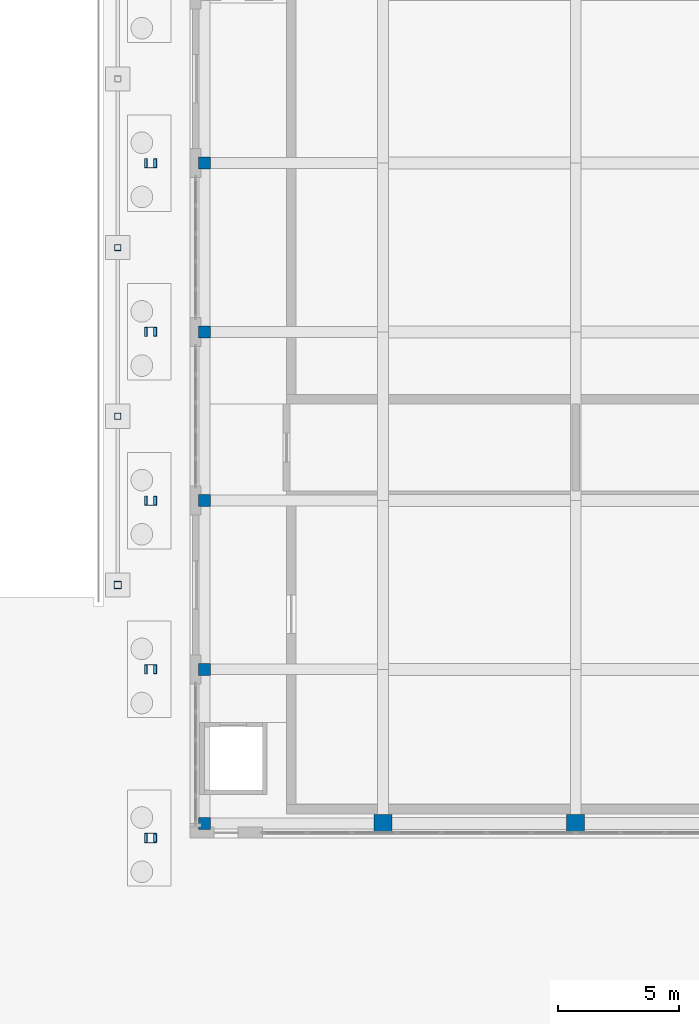
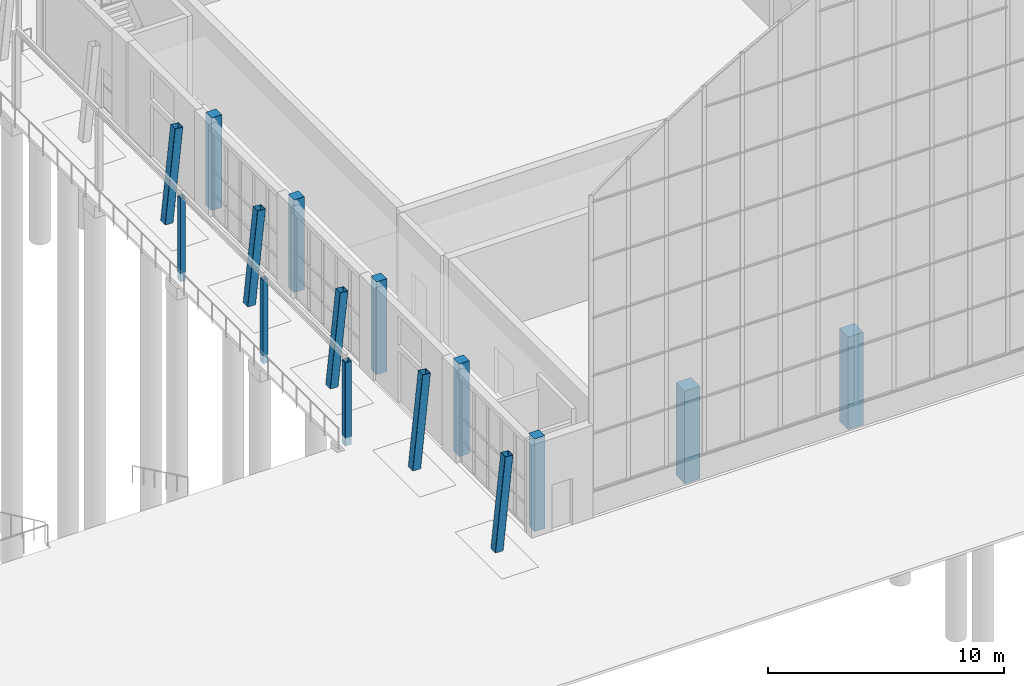
# One storey, part 13 of 144: 15 columns.
"""IFC4 building model written with IfcOpenShell, lengths in metres."""

from ifc_helpers import new_model, si_unit, direction, frame, origin, origin_2d, place, context, subcontext, project, spatial, rectangle, hollow_rectangle, extrude, material, material_profile, profile_set, type_object, element, save


model = new_model("IFC4")

# Units and contexts
model_context = context("Model", 3, precision=1e-05, world=origin(), true_north=direction((0.0, 1.0)))
body_context = subcontext(model_context, "Body", "Model", "MODEL_VIEW")
ifc_project = project(units=[si_unit("LENGTHUNIT", "METRE"), si_unit("AREAUNIT", "SQUARE_METRE"), si_unit("VOLUMEUNIT", "CUBIC_METRE"), si_unit("PLANEANGLEUNIT", "RADIAN"), si_unit("MASSUNIT", "GRAM", prefix="KILO")], contexts=[model_context])

# Site, building, storey
site_placement = place(None, origin())
site = spatial("IfcSite", under=ifc_project, at=site_placement, CompositionType="ELEMENT")
building_placement = place(site_placement, origin())
building = spatial("IfcBuilding", under=site, at=building_placement, Name="Lantern Court Media Centre", CompositionType="ELEMENT")
storey_placement = place(building_placement, origin())
storey = spatial("IfcBuildingStorey", under=building, at=storey_placement, Name="L00", CompositionType="ELEMENT", Elevation=0.0)

# Columns
ifc_material_1 = material(Name="Steel S355J2 (EN 10025-2)", Category="steel")
ifc_material_profile_1 = material_profile(ifc_material_1, hollow_rectangle(XDim=0.300048828125, YDim=0.300048828125, WallThickness=0.010009765625, InnerFilletRadius=0.010009765625, OuterFilletRadius=0.014892578125, at=origin_2d()), Name="Forecourt colonnade end post SHS 300x10")
ifc_profile_set_1 = profile_set([ifc_material_profile_1], Name="Steel S355J2 (EN 10025-2)")
column_type_1 = type_object("IfcColumnType", Name="Forecourt colonnade end post SHS 300x10", PredefinedType="COLUMN", material=ifc_profile_set_1)
column_1_placement = place(storey_placement, frame((69.0, 8.5, -0.419921875), z_axis=(0.0, 0.0, 1.0), x_axis=(1.0, 0.0, 0.0)))
element("IfcColumn", 1, at=column_1_placement, inside=storey, type_object=column_type_1, Name="Forecourt colonnade post V2 1", PredefinedType="COLUMN", context=body_context, shape_type="SweptSolid", body=[
    extrude(hollow_rectangle(XDim=0.300048828125, YDim=0.300048828125, WallThickness=0.010009765625, InnerFilletRadius=0.010009765625, OuterFilletRadius=0.014892578125, at=origin_2d()), origin(), (0.0, 0.0, 1.0), 4.31982421875),
])
ifc_material_profile_2 = material_profile(ifc_material_1, hollow_rectangle(XDim=0.25, YDim=0.25, WallThickness=0.010009765625, InnerFilletRadius=0.010009765625, OuterFilletRadius=0.014892578125, at=origin_2d()), Name="Forecourt colonnade post SHS 250x10")
ifc_profile_set_2 = profile_set([ifc_material_profile_2], Name="Steel S355J2 (EN 10025-2)")
column_type_2 = type_object("IfcColumnType", Name="Forecourt colonnade post SHS 250x10", PredefinedType="COLUMN", material=ifc_profile_set_2)
for number, where, z_axis, x_axis, name in (
    (2, (69.0, 15.5, -0.419921875), (0.0, 0.0, 1.0), (1.0, 0.0, 0.0), "Forecourt colonnade post V2 2"),
    (3, (69.0, 22.5, -0.419921875), (0.0, 0.0, 1.0), (1.0, 0.0, 0.0), "Forecourt colonnade post V2 3"),
):
    element("IfcColumn", number, at=place(storey_placement, frame(where, z_axis=z_axis, x_axis=x_axis)), inside=storey, type_object=column_type_2, Name=name, PredefinedType="COLUMN", context=body_context, shape_type="SweptSolid", body=[
        extrude(hollow_rectangle(XDim=0.25, YDim=0.25, WallThickness=0.010009765625, InnerFilletRadius=0.010009765625, OuterFilletRadius=0.014892578125, at=origin_2d()), origin(), (0.0, 0.0, 1.0), 4.31982421875),
    ])
ifc_material_2 = material(Name="Concrete C35", Category="concrete")
ifc_material_profile_3 = material_profile(ifc_material_2, rectangle(XDim=0.5, YDim=0.5, at=origin_2d()), Name="RC 500x500")
ifc_profile_set_3 = profile_set([ifc_material_profile_3], Name="Concrete C35")
column_type_3 = type_object("IfcColumnType", Name="RC COLUMN 500x500", PredefinedType="COLUMN", material=ifc_profile_set_3)
for number, where, z_axis, x_axis, name in (
    (4, (72.60009765625, -1.39990234375, 0.0), (0.0, 0.0, 1.0), (1.0, 0.0, 0.0), "C-V2-0-0-L00"),
    (5, (72.60009765625, 5.0, 0.0), (0.0, 0.0, 1.0), (1.0, 0.0, 0.0), "C-V2-0-1-L00"),
    (6, (72.60009765625, 12.0, 0.0), (0.0, 0.0, 1.0), (1.0, 0.0, 0.0), "C-V2-0-2-L00"),
    (7, (72.60009765625, 19.0, 0.0), (0.0, 0.0, 1.0), (1.0, 0.0, 0.0), "C-V2-0-3-L00"),
    (8, (72.60009765625, 26.0, 0.0), (0.0, 0.0, 1.0), (1.0, 0.0, 0.0), "C-V2-0-4-L00"),
):
    element("IfcColumn", number, at=place(storey_placement, frame(where, z_axis=z_axis, x_axis=x_axis)), inside=storey, type_object=column_type_3, Name=name, PredefinedType="COLUMN", context=body_context, shape_type="SweptSolid", body=[
        extrude(rectangle(XDim=0.5, YDim=0.5, at=origin_2d()), origin(), (0.0, 0.0, 1.0), 4.800048828125),
    ])
ifc_material_profile_4 = material_profile(ifc_material_2, rectangle(XDim=0.75, YDim=0.75, at=origin_2d()), Name="RC 750x750")
ifc_profile_set_4 = profile_set([ifc_material_profile_4], Name="Concrete C35")
column_type_4 = type_object("IfcColumnType", Name="RC COLUMN 750x750", PredefinedType="COLUMN", material=ifc_profile_set_4)
for number, where, z_axis, x_axis, name in (
    (9, (80.0, -1.39990234375, 0.0), (0.0, 0.0, 1.0), (1.0, 0.0, 0.0), "C-V2-1-0-L00"),
    (10, (88.0, -1.39990234375, 0.0), (0.0, 0.0, 1.0), (1.0, 0.0, 0.0), "C-V2-2-0-L00"),
):
    element("IfcColumn", number, at=place(storey_placement, frame(where, z_axis=z_axis, x_axis=x_axis)), inside=storey, type_object=column_type_4, Name=name, PredefinedType="COLUMN", context=body_context, shape_type="SweptSolid", body=[
        extrude(rectangle(XDim=0.75, YDim=0.75, at=origin_2d()), origin(), (0.0, 0.0, 1.0), 4.800048828125),
    ])
ifc_material_profile_5 = material_profile(ifc_material_1, hollow_rectangle(XDim=0.39990234375, YDim=0.39990234375, WallThickness=0.012451171875, InnerFilletRadius=0.012451171875, OuterFilletRadius=0.018798828125, at=origin_2d()), Name="Studio Hall buttress column SHS 400x12.5")
ifc_profile_set_5 = profile_set([ifc_material_profile_5], Name="Steel S355J2 (EN 10025-2)")
column_type_5 = type_object("IfcColumnType", Name="Studio Hall buttress column SHS 400x12.5", PredefinedType="COLUMN", material=ifc_profile_set_5)
for number, where, z_axis, x_axis, name in (
    (11, (70.300048828125, 5.0, 0.0), (0.100901453218, 0.0, 0.994896425131), (0.0, 1.0, 0.0), "Studio Hall buttress west 2"),
    (12, (70.300048828125, 12.0, 0.0), (0.100901453218, 0.0, 0.994896425131), (0.0, 1.0, 0.0), "Studio Hall buttress west 3"),
    (13, (70.300048828125, 19.0, 0.0), (0.100901453218, 0.0, 0.994896425131), (0.0, 1.0, 0.0), "Studio Hall buttress west 4"),
    (14, (70.300048828125, 26.0, 0.0), (0.100901453218, 0.0, 0.994896425131), (0.0, 1.0, 0.0), "Studio Hall buttress west 5"),
):
    element("IfcColumn", number, at=place(storey_placement, frame(where, z_axis=z_axis, x_axis=x_axis)), inside=storey, type_object=column_type_5, Name=name, PredefinedType="COLUMN", context=body_context, shape_type="SweptSolid", body=[
        extrude(hollow_rectangle(XDim=0.39990234375, YDim=0.39990234375, WallThickness=0.012451171875, InnerFilletRadius=0.012451171875, OuterFilletRadius=0.018798828125, at=origin_2d()), origin(), (0.0, 0.0, 1.0), 4.82470703125),
    ])
ifc_material_profile_6 = material_profile(ifc_material_1, hollow_rectangle(XDim=0.39990234375, YDim=0.39990234375, WallThickness=0.01611328125, InnerFilletRadius=0.01611328125, OuterFilletRadius=0.02392578125, at=origin_2d()), Name="Studio Hall gable buttress column SHS 400x16")
ifc_profile_set_6 = profile_set([ifc_material_profile_6], Name="Steel S355J2 (EN 10025-2)")
column_type_6 = type_object("IfcColumnType", Name="Studio Hall gable buttress column SHS 400x16", PredefinedType="COLUMN", material=ifc_profile_set_6)
column_2_placement = place(storey_placement, frame((70.300048828125, -2.0, 0.0), z_axis=(0.100901453218, 0.0, 0.994896425131), x_axis=(0.0, 1.0, 0.0)))
element("IfcColumn", 15, at=column_2_placement, inside=storey, type_object=column_type_6, Name="Studio Hall buttress west 1", PredefinedType="COLUMN", context=body_context, shape_type="SweptSolid", body=[
    extrude(hollow_rectangle(XDim=0.39990234375, YDim=0.39990234375, WallThickness=0.01611328125, InnerFilletRadius=0.01611328125, OuterFilletRadius=0.02392578125, at=origin_2d()), origin(), (0.0, 0.0, 1.0), 4.82470703125),
])

save(model, "model.ifc")
